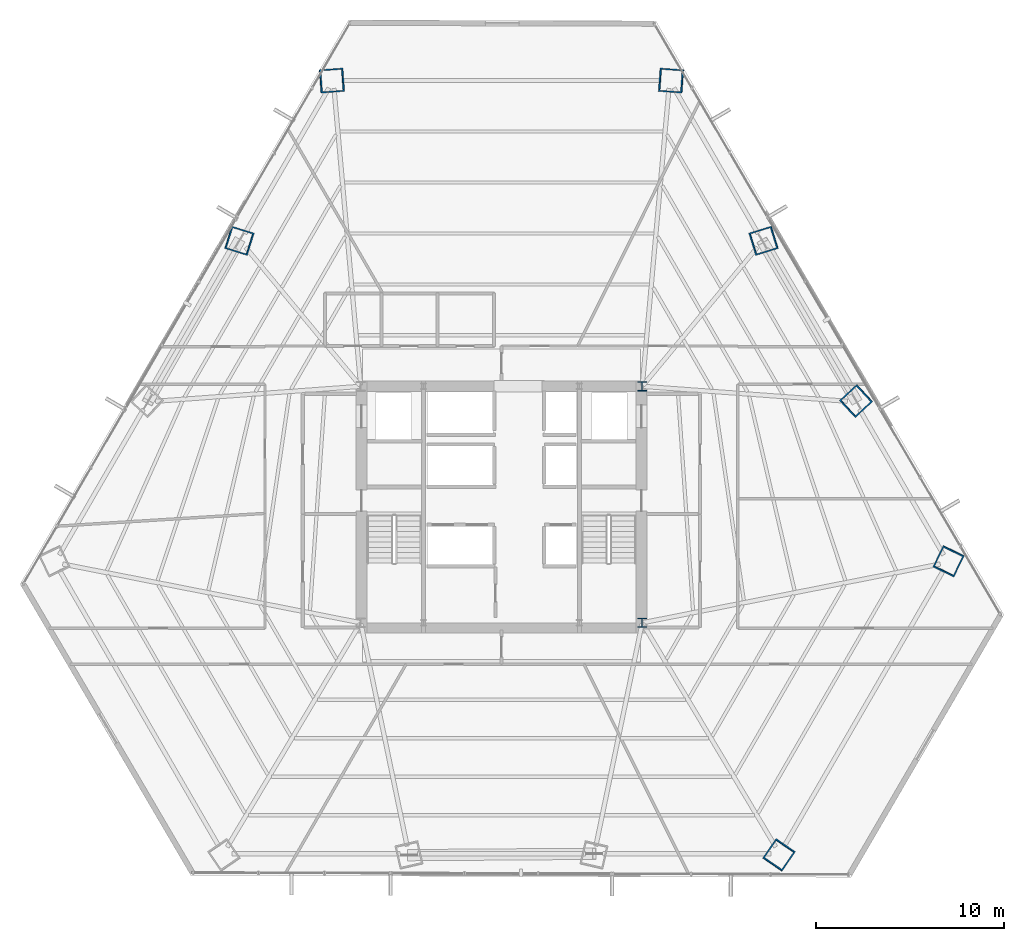
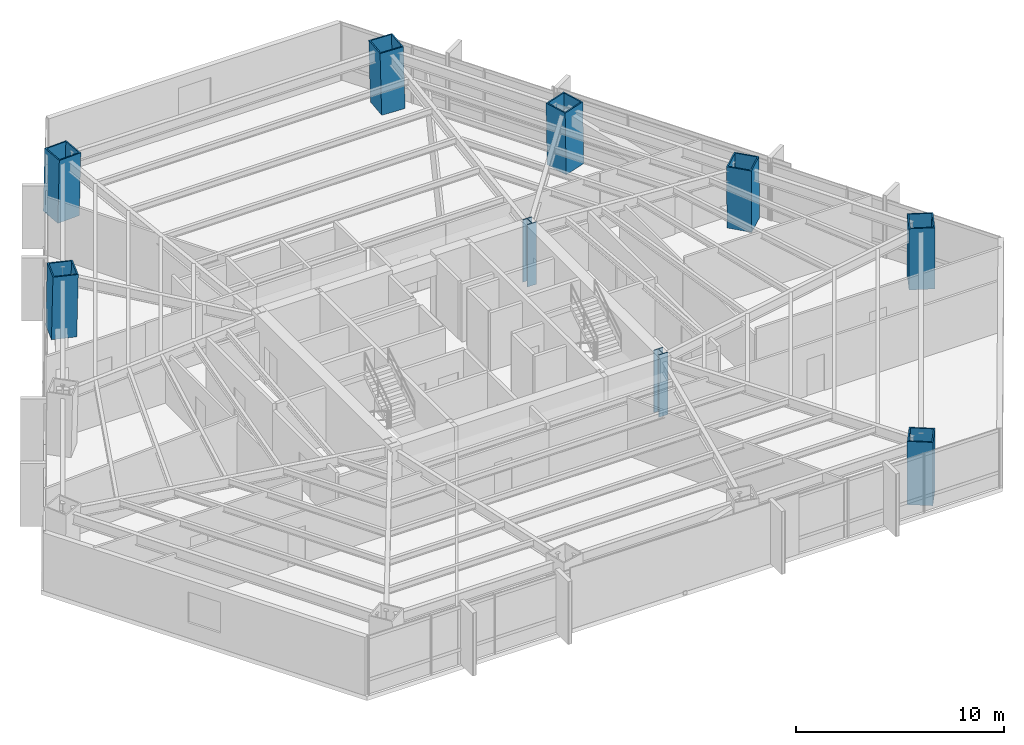
# One storey, part 2 of 33: 9 columns.
"""IFC4 building model written with IfcOpenShell, lengths in metres."""

from ifc_helpers import new_model, si_unit, direction, frame, origin, origin_2d, place, context, subcontext, project, spatial, hollow_rectangle, i_section, extrude, source, transform, mapped, material, material_profile, profile_set, type_object, type_shapes, element, save


model = new_model("IFC4")

# Units and contexts
model_context = context("Model", 3, precision=1e-05, world=origin(), true_north=direction((0.0, 1.0)))
body_context = subcontext(model_context, "Body", "Model", "MODEL_VIEW")
ifc_project = project(units=[si_unit("LENGTHUNIT", "METRE"), si_unit("AREAUNIT", "SQUARE_METRE"), si_unit("VOLUMEUNIT", "CUBIC_METRE"), si_unit("PLANEANGLEUNIT", "RADIAN"), si_unit("MASSUNIT", "GRAM", prefix="KILO")], contexts=[model_context])

# Site, building, storey
site_placement = place(None, origin())
site = spatial("IfcSite", under=ifc_project, at=site_placement, CompositionType="ELEMENT")
building_placement = place(site_placement, origin())
building = spatial("IfcBuilding", under=site, at=building_placement, Name="Caelisora Broadcast Tower", CompositionType="ELEMENT")
storey_placement = place(building_placement, frame((0.0, 0.0, 38.550048828125)))
storey = spatial("IfcBuildingStorey", under=building, at=storey_placement, Name="L09", CompositionType="ELEMENT", Elevation=38.550048828125)

# Columns
ifc_material_1 = material(Name="Steel Grade 350 (AS/NZS 3679.2)", Category="steel")
ifc_material_profile_1 = material_profile(ifc_material_1, i_section(OverallWidth=0.5, OverallDepth=0.5, WebThickness=0.028076171875, FlangeThickness=0.0400390625, at=origin_2d()), Name="Steel Grade 350 (AS/NZS 3679.2)")
ifc_profile_set_1 = profile_set([ifc_material_profile_1], Name="Steel Grade 350 (AS/NZS 3679.2)")
column_type_1 = type_object("IfcColumnType", Name="CC01", PredefinedType="COLUMN", material=ifc_profile_set_1)
shared_shape_1 = source(origin(), body_context, "Body", "SweptSolid", [
    extrude(i_section(OverallWidth=0.5, OverallDepth=0.5, WebThickness=0.028076171875, FlangeThickness=0.0400390625, at=origin_2d()), origin(), (0.0, 0.0, 1.0), 3.64990234375),
])
type_shapes(column_type_1, [shared_shape_1])
for number, where, z_axis, x_axis, name in (
    (1, (45.5, 17.39990234375, 0.0), (0.0, 0.0, 1.0), (1.0, 0.0, 0.0), "L09 column CC01"),
    (2, (45.5, 30.0, 0.0), (0.0, 0.0, 1.0), (1.0, 0.0, 0.0), "L09 column CC01"),
):
    element("IfcColumn", number, at=place(storey_placement, frame(where, z_axis=z_axis, x_axis=x_axis)), inside=storey, type_object=column_type_1, Name=name, PredefinedType="COLUMN", context=body_context, shape_type="MappedRepresentation", body=[
        mapped(shared_shape_1, transform((0.0, 0.0, 0.0), scale=1.0)),
    ])
ifc_material_2 = material(Name="Steel Grade 350 L15 (AS/NZS 3678)", Category="steel")
ifc_material_profile_2 = material_profile(ifc_material_2, hollow_rectangle(XDim=1.25, YDim=1.25, WallThickness=0.070068359375, at=origin_2d()), Name="Steel Grade 350 L15 (AS/NZS 3678)")
ifc_profile_set_2 = profile_set([ifc_material_profile_2], Name="Steel Grade 350 L15 (AS/NZS 3678)")
column_type_2 = type_object("IfcColumnType", Name="MC02", PredefinedType="COLUMN", material=ifc_profile_set_2)
shared_shape_2 = source(origin(), body_context, "Body", "SweptSolid", [
    extrude(hollow_rectangle(XDim=1.25, YDim=1.25, WallThickness=0.070068359375, at=origin_2d()), origin(), (0.0, 0.0, 1.0), 3.65087890625),
])
for number, where, z_axis, x_axis, name in (
    (3, (47.0498046875, 46.291259765625, 0.0), (-0.023872756997, 0.001738632162, 0.999713493273), (-0.07263675076, -0.997358462359, 0.0), "L09 column MC02"),
    (4, (28.9501953125, 46.291259765625, 0.0), (0.023872756997, 0.001738632162, 0.999713493273), (-0.07263675076, 0.997358462359, 0.0), "L09 column MC02"),
    (5, (52.77978515625, 5.016845703125, 0.0), (0.013507825582, 0.019793645407, 0.999712833893), (-0.825991119814, 0.563683129062, 0.0), "L09 column MC02"),
    (6, (61.829833984375, 20.69189453125, 0.0), (-0.010431780378, -0.021599135014, 0.999712286273), (0.900476348161, -0.434904985489, 0.0), "L09 column MC02"),
):
    element("IfcColumn", number, at=place(storey_placement, frame(where, z_axis=z_axis, x_axis=x_axis)), inside=storey, type_object=column_type_2, Name=name, PredefinedType="COLUMN", context=body_context, shape_type="MappedRepresentation", body=[
        mapped(shared_shape_2, transform((0.0, 0.0, 0.0), scale=1.0)),
    ])
shared_shape_3 = source(origin(), body_context, "Body", "SweptSolid", [
    extrude(hollow_rectangle(XDim=1.25, YDim=1.25, WallThickness=0.070068359375, at=origin_2d()), origin(), (0.0, 0.0, 1.0), 3.650634765625),
])
type_shapes(column_type_2, [shared_shape_2, shared_shape_3])
for number, where, z_axis, x_axis, name in (
    (7, (24.0234375, 37.758056640625, 0.0), (0.019393993486, -0.006018825565, 0.999793802119), (0.296399214872, 0.955064136811, 0.0), "L09 column MC02"),
    (8, (56.9033203125, 29.22509765625, 0.0), (-0.014980160436, -0.01384327326, 0.999791957649), (0.67868852459, -0.734426229508, 0.0), "L09 column MC02"),
    (9, (51.9765625, 37.758056640625, 0.0), (-0.019393993486, -0.006018825565, 0.999793802119), (0.296399214872, -0.955064136811, 0.0), "L09 column MC02"),
):
    element("IfcColumn", number, at=place(storey_placement, frame(where, z_axis=z_axis, x_axis=x_axis)), inside=storey, type_object=column_type_2, Name=name, PredefinedType="COLUMN", context=body_context, shape_type="MappedRepresentation", body=[
        mapped(shared_shape_3, transform((0.0, 0.0, 0.0), scale=1.0)),
    ])

save(model, "model.ifc")
